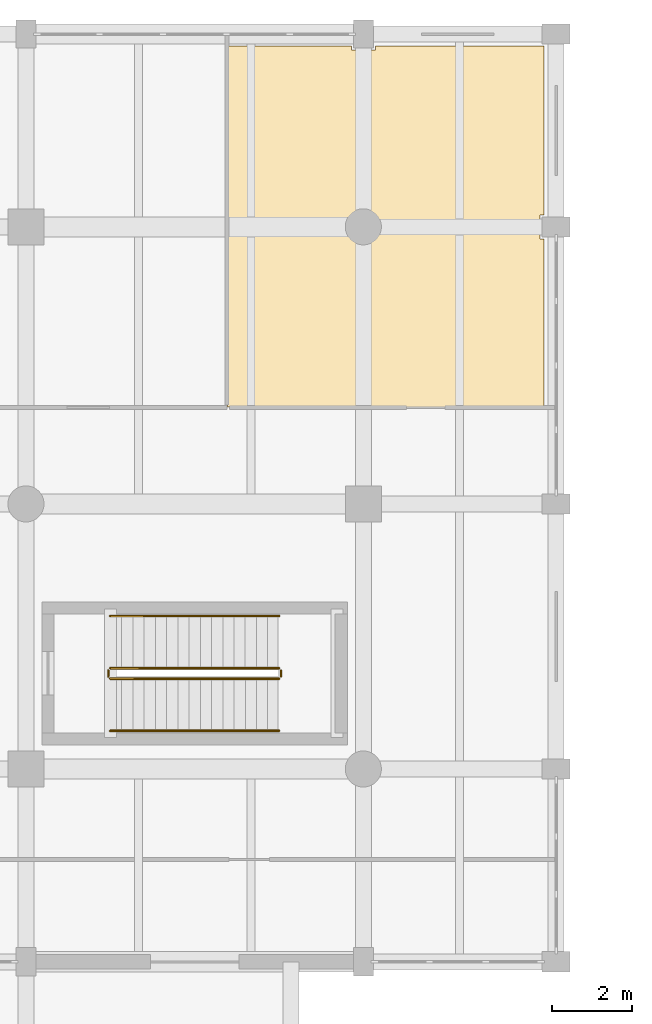
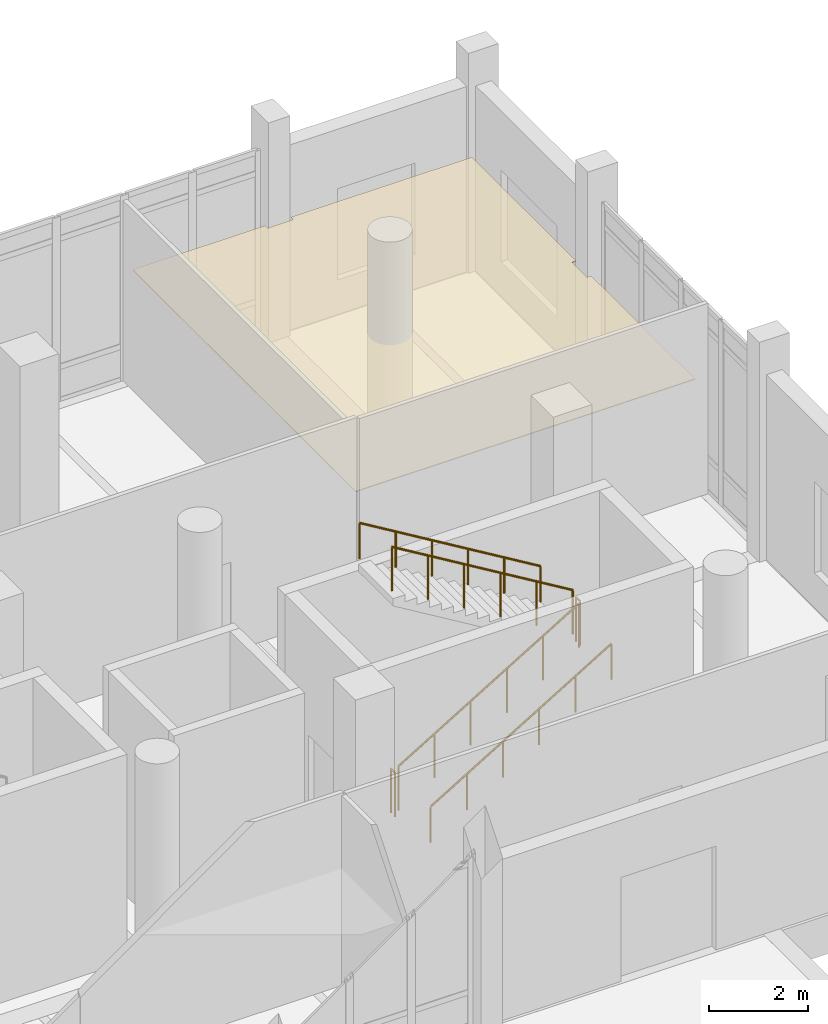
# One storey, part 66 of 72: 6 railings, 1 covering.
"""IFC4 building model written with IfcOpenShell, lengths in metres."""

import ifcopenshell
import ifcopenshell.guid

model = None  # the IFC model being written
_history = None  # IfcOwnerHistory: only IFC2X3 demands one
_inside = {}  # id of a spatial element -> (the spatial element, [elements in it])
_under = {}  # id of a project, library or spatial element -> (it, [spatial elements below it])
_declared = {}  # id of a project -> (the project, [libraries it declares])
_typed = {}  # id of a type object -> (the type object, [elements of that type])
_made_of = {}  # id of a material, layer set ... -> (it, [elements and type objects made of it])


def new_model(schema):
    """Start an empty IFC model of exactly this schema.

    Asked for "IFC4X3", IfcOpenShell would pick the latest addendum, in which some entities
    have other attributes; the version numbers below select the first issue.
    IFC2X3 requires an IfcOwnerHistory on every rooted entity: one is made here for all.
    """
    global model, _history
    if schema == "IFC4X3":
        model = ifcopenshell.file(schema_version=(4, 3, 0, 0))
    else:
        model = ifcopenshell.file(schema=schema)
    _inside.clear()
    _under.clear()
    _declared.clear()
    _typed.clear()
    _made_of.clear()
    _history = None
    if model.schema == "IFC2X3":
        org = make("IfcOrganization", Name="unknown")
        user = make(
            "IfcPersonAndOrganization",
            ThePerson=make("IfcPerson", FamilyName="unknown"),
            TheOrganization=org,
        )
        app = make(
            "IfcApplication",
            ApplicationDeveloper=org,
            Version="unknown",
            ApplicationFullName="unknown",
            ApplicationIdentifier="unknown",
        )
        _history = make(
            "IfcOwnerHistory",
            OwningUser=user,
            OwningApplication=app,
            ChangeAction="ADDED",
            CreationDate=0,
        )
    return model


def make(cls, **values):
    """One entity of the class cls with the attributes given. An attribute that is None is left unset."""
    return model.create_entity(
        cls, **{name: value for name, value in values.items() if value is not None}
    )


def rooted(cls, **values):
    """An entity with a GlobalId (a new one), such as an element, a storey or a relation."""
    return make(cls, GlobalId=ifcopenshell.guid.new(), OwnerHistory=_history, **values)


def si_unit(unit_type, name, prefix=None):
    """IfcSIUnit, for example si_unit("LENGTHUNIT", "METRE", prefix="MILLI")."""
    return make("IfcSIUnit", UnitType=unit_type, Prefix=prefix, Name=name)


def assignment(units):
    """IfcUnitAssignment: the units of a project."""
    return None if units is None else make("IfcUnitAssignment", Units=units)


def point(xyz):
    """IfcCartesianPoint."""
    return None if xyz is None else make("IfcCartesianPoint", Coordinates=xyz)


def direction(xyz):
    """IfcDirection."""
    return None if xyz is None else make("IfcDirection", DirectionRatios=xyz)


def frame(location, z_axis=None, x_axis=None):
    """IfcAxis2Placement3D, a coordinate frame: its origin and axes. An axis left out is left unset."""
    return make(
        "IfcAxis2Placement3D",
        Location=point(location),
        Axis=direction(z_axis),
        RefDirection=direction(x_axis),
    )


def frame_2d(location, x_axis=None):
    """IfcAxis2Placement2D, a coordinate frame in the plane: its origin and x axis."""
    return make(
        "IfcAxis2Placement2D", Location=point(location), RefDirection=direction(x_axis)
    )


def origin():
    """The frame at (0, 0, 0) with its axes left unset."""
    return frame((0.0, 0.0, 0.0))


def origin_2d():
    """The frame at (0, 0) in the plane with its x axis left unset."""
    return frame_2d((0.0, 0.0))


def place(relative_to, where):
    """IfcLocalPlacement: puts the frame where relative to a parent placement (None: the world)."""
    return make(
        "IfcLocalPlacement", PlacementRelTo=relative_to, RelativePlacement=where
    )


def context(
    kind, dimensions, precision=None, world=None, true_north=None, identifier=None
):
    """IfcGeometricRepresentationContext, for example the 3D "Model" context."""
    return make(
        "IfcGeometricRepresentationContext",
        ContextIdentifier=identifier,
        ContextType=kind,
        CoordinateSpaceDimension=dimensions,
        Precision=precision,
        WorldCoordinateSystem=world,
        TrueNorth=true_north,
    )


def subcontext(parent, identifier, kind, view, scale=None):
    """IfcGeometricRepresentationSubContext, for example "Body" below "Model"."""
    return make(
        "IfcGeometricRepresentationSubContext",
        ContextIdentifier=identifier,
        ContextType=kind,
        ParentContext=parent,
        TargetScale=scale,
        TargetView=view,
    )


def project(units=None, contexts=None):
    """IfcProject with its units and contexts."""
    return rooted(
        "IfcProject",
        Name="project",
        RepresentationContexts=contexts,
        UnitsInContext=assignment(units),
    )


def spatial(cls, under=None, at=None, **own):
    """A site, building, storey or space (cls), placed at a placement, below another one or the project."""
    s = rooted(cls, ObjectPlacement=at, **own)
    if under is not None:
        _under.setdefault(under.id(), (under, []))[1].append(s)
    return s


def polyline(points):
    """IfcPolyline through the points."""
    return make("IfcPolyline", Points=[point(p) for p in points])


def profile(cls, at=None, kind="AREA", **sizes):
    """A parametric profile (cls). Its sizes go by their IFC names, for example OverallWidth=200.0."""
    return make(cls, ProfileType=kind, Position=at, **sizes)


def circle(**sizes):
    """IfcCircleProfileDef."""
    return profile("IfcCircleProfileDef", **sizes)


def outline(outer, holes=None, kind="AREA"):
    """IfcArbitraryClosedProfileDef: a profile drawn as a closed curve; with holes, ...WithVoids."""
    if holes is None:
        return make("IfcArbitraryClosedProfileDef", ProfileType=kind, OuterCurve=outer)
    return make(
        "IfcArbitraryProfileDefWithVoids",
        ProfileType=kind,
        OuterCurve=outer,
        InnerCurves=holes,
    )


def extrude(swept, where, along, depth):
    """IfcExtrudedAreaSolid: the profile swept, set in the frame where, extruded along a direction by depth."""
    return make(
        "IfcExtrudedAreaSolid",
        SweptArea=swept,
        Position=where,
        ExtrudedDirection=direction(along),
        Depth=depth,
    )


def shape(context_of_items, identifier, shape_type, items):
    """IfcShapeRepresentation: the items that make up one representation, for example the "Body"."""
    return make(
        "IfcShapeRepresentation",
        ContextOfItems=context_of_items,
        RepresentationIdentifier=identifier,
        RepresentationType=shape_type,
        Items=items,
    )


def material(Name=None, Category=None):
    """IfcMaterial."""
    return make("IfcMaterial", Name=Name, Category=Category)


def layer(
    of_material, thickness, ventilated=None, Name=None, Category=None, Priority=None
):
    """IfcMaterialLayer: one layer of a wall or slab, of a material (None: an air gap)."""
    return make(
        "IfcMaterialLayer",
        Material=of_material,
        LayerThickness=thickness,
        IsVentilated=ventilated,
        Name=Name,
        Category=Category,
        Priority=Priority,
    )


def layer_set(layers, Name=None):
    """IfcMaterialLayerSet."""
    return make("IfcMaterialLayerSet", MaterialLayers=layers, LayerSetName=Name)


def made_of(thing, what):
    """Note that an element or type object is made of a material, layer set ...; save() writes the relation."""
    if what is not None:
        _made_of.setdefault(what.id(), (what, []))[1].append(thing)
    return thing


def type_object(cls, material=None, **own):
    """A type object (cls), such as IfcWallType, which elements share."""
    return made_of(rooted(cls, **own), material)


def element(
    cls,
    number,
    at=None,
    inside=None,
    cuts=None,
    type_object=None,
    material=None,
    context=None,
    identifier="Body",
    shape_type=None,
    held_by="IfcProductDefinitionShape",
    body=None,
    shapes=None,
    **own,
):
    """One element of the class cls, such as IfcWall. Its Tag is "e" and its number.

    at: its placement. inside: the storey or other place that contains it. cuts: it is an
    opening in that element (IfcRelVoidsElement). A single representation is given by context,
    identifier, shape_type and body (its items); several are given by shapes. held_by: the class
    of the entity that holds the representations. save() writes the other relations.
    """
    e = rooted(cls, Tag="e%d" % number, ObjectPlacement=at, **own)
    if body is not None:
        shapes = [shape(context, identifier, shape_type, body)]
    if shapes is not None:
        e.Representation = make(held_by, Representations=shapes)
    if inside is not None:
        _inside.setdefault(inside.id(), (inside, []))[1].append(e)
    if cuts is not None:
        rooted(
            "IfcRelVoidsElement", RelatingBuildingElement=cuts, RelatedOpeningElement=e
        )
    if type_object is not None:
        _typed.setdefault(type_object.id(), (type_object, []))[1].append(e)
    return made_of(e, material)


def aggregate(whole, parts):
    """IfcRelAggregates: a whole, such as a stair, and the parts it consists of."""
    return rooted("IfcRelAggregates", RelatingObject=whole, RelatedObjects=parts)


def save(model, path):
    """Write the relations noted so far, then the file.

    IfcRelAggregates (storeys below a building ...), IfcRelContainedInSpatialStructure (elements
    in a storey), IfcRelDefinesByType, IfcRelAssociatesMaterial and IfcRelDeclares: one each for
    every whole, place, type object, material and project.
    """
    for whole, parts in _under.values():
        aggregate(whole, parts)
    for where, things in _inside.values():
        rooted(
            "IfcRelContainedInSpatialStructure",
            RelatedElements=things,
            RelatingStructure=where,
        )
    for kind, things in _typed.values():
        rooted("IfcRelDefinesByType", RelatedObjects=things, RelatingType=kind)
    for what, things in _made_of.values():
        rooted("IfcRelAssociatesMaterial", RelatedObjects=things, RelatingMaterial=what)
    for by, libraries in _declared.values():
        rooted("IfcRelDeclares", RelatingContext=by, RelatedDefinitions=libraries)
    model.write(path)


model = new_model("IFC4")

# Units and contexts
model_context = context("Model", 3, precision=1e-05, world=origin(), true_north=direction((0.0, 1.0)))
body_context = subcontext(model_context, "Body", "Model", "MODEL_VIEW")
ifc_project = project(units=[si_unit("LENGTHUNIT", "METRE"), si_unit("AREAUNIT", "SQUARE_METRE"), si_unit("VOLUMEUNIT", "CUBIC_METRE"), si_unit("PLANEANGLEUNIT", "RADIAN"), si_unit("MASSUNIT", "GRAM", prefix="KILO")], contexts=[model_context])

# Site, building, storey
site_placement = place(None, origin())
site = spatial("IfcSite", under=ifc_project, at=site_placement, CompositionType="ELEMENT")
building_placement = place(site_placement, origin())
building = spatial("IfcBuilding", under=site, at=building_placement, Name="Dornvale Research Institute", CompositionType="ELEMENT")
storey_placement = place(building_placement, origin())
storey = spatial("IfcBuildingStorey", under=building, at=storey_placement, Name="L00", CompositionType="ELEMENT", Elevation=0.0)

# Covering
ifc_material_1 = material(Name="Mineral-Fibre Acoustic Lay-In Ceiling Tile System")
ifc_layer_1 = layer(ifc_material_1, 0.02001953125)
ifc_layer_set_1 = layer_set([ifc_layer_1], Name="Mineral-Fibre Acoustic Lay-In Ceiling Tile System")
covering_type = type_object("IfcCoveringType", Name="Covering_Acoustic_Ceiling", PredefinedType="CEILING", material=ifc_layer_set_1)
covering_placement = place(storey_placement, frame((0.0, 0.0, 2.85009765625)))
element("IfcCovering", 1, at=covering_placement, inside=storey, type_object=covering_type, Name="L00 Principal Investigator Office Suite L00 suspended ceiling", PredefinedType="CEILING", context=body_context, shape_type="SweptSolid", body=[
    extrude(outline(polyline([(45.800048828125, 117.0), (45.89990234375, 117.0), (45.89990234375, 112.820068359375), (38.02001953125, 112.820068359375), (38.02001953125, 121.800048828125), (41.10009765625, 121.800048828125), (41.10009765625, 121.699951171875), (41.699951171875, 121.699951171875), (41.699951171875, 121.800048828125), (45.800048828125, 121.800048828125), (45.89990234375, 121.800048828125), (45.89990234375, 117.60009765625), (45.800048828125, 117.60009765625), (45.800048828125, 117.0)])), origin(), (0.0, 0.0, 1.0), 0.02001953125),
])

# Railings
ifc_material_2 = material(Name="Galvanized Painted Tubular Steel Stair Rail", Category="steel")
ifc_layer_2 = layer(ifc_material_2, 0.050048828125)
ifc_layer_set_2 = layer_set([ifc_layer_2], Name="Galvanized Painted Tubular Steel Stair Rail")
railing_type_1 = type_object("IfcRailingType", Name="Railing_Stair_Guard_1100", PredefinedType="GUARDRAIL", material=ifc_layer_set_2)
railing_1_placement = place(storey_placement, frame((35.10009765625, 106.050048828125, 0.168701171875)))
element("IfcRailing", 2, at=railing_1_placement, inside=storey, type_object=railing_type_1, Name="L00 ST-2 stair guard 1", PredefinedType="GUARDRAIL", context=body_context, shape_type="SweptSolid", body=[
    extrude(circle(Radius=0.02392578125, at=origin_2d()), frame((0.0, 0.0, 1.076171875), z_axis=(0.856476492594, 0.0, 0.516186030065), x_axis=(0.0, 1.0, 0.0)), (0.0, 0.0, 1.0), 4.90380859375),
    extrude(circle(Radius=0.02099609375, at=origin_2d()), origin(), (0.0, 0.0, 1.0), 1.052001953125),
    extrude(circle(Radius=0.02099609375, at=origin_2d()), frame((0.840087890625, 0.0, 0.50634765625)), (0.0, 0.0, 1.0), 1.052001953125),
    extrude(circle(Radius=0.02099609375, at=origin_2d()), frame((1.679931640625, 0.0, 1.012451171875)), (0.0, 0.0, 1.0), 1.052001953125),
    extrude(circle(Radius=0.02099609375, at=origin_2d()), frame((2.52001953125, 0.0, 1.518798828125)), (0.0, 0.0, 1.0), 1.052001953125),
    extrude(circle(Radius=0.02099609375, at=origin_2d()), frame((3.35986328125, 0.0, 2.02490234375)), (0.0, 0.0, 1.0), 1.052001953125),
    extrude(circle(Radius=0.02099609375, at=origin_2d()), frame((4.199951171875, 0.0, 2.53125)), (0.0, 0.0, 1.0), 1.052001953125),
])
railing_2_placement = place(storey_placement, frame((39.35009765625, 106.10009765625, 2.699951171875)))
element("IfcRailing", 3, at=railing_2_placement, inside=storey, type_object=railing_type_1, Name="L00 ST-2 stair guard 2", PredefinedType="GUARDRAIL", context=body_context, shape_type="SweptSolid", body=[
    extrude(circle(Radius=0.02392578125, at=origin_2d()), frame((0.0, 0.0, 1.076171875), z_axis=(0.0, 1.0, 0.0), x_axis=(-1.0, 0.0, 0.0)), (0.0, 0.0, 1.0), 0.159912109375),
    extrude(circle(Radius=0.02099609375, at=origin_2d()), origin(), (0.0, 0.0, 1.0), 1.052001953125),
    extrude(circle(Radius=0.02099609375, at=origin_2d()), frame((0.0, 0.159912109375, 0.0)), (0.0, 0.0, 1.0), 1.052001953125),
])
railing_3_placement = place(storey_placement, frame((39.300048828125, 106.31005859375, 2.86865234375)))
element("IfcRailing", 4, at=railing_3_placement, inside=storey, type_object=railing_type_1, Name="L00 ST-2 stair guard 3", PredefinedType="GUARDRAIL", context=body_context, shape_type="SweptSolid", body=[
    extrude(circle(Radius=0.02392578125, at=origin_2d()), frame((0.0, 0.0, 1.076171875), z_axis=(-0.856476492594, 0.0, 0.516186030065), x_axis=(0.0, -1.0, 0.0)), (0.0, 0.0, 1.0), 4.90380859375),
    extrude(circle(Radius=0.02099609375, at=origin_2d()), origin(), (0.0, 0.0, 1.0), 1.052001953125),
    extrude(circle(Radius=0.02099609375, at=origin_2d()), frame((-0.840087890625, 0.0, 0.50634765625)), (0.0, 0.0, 1.0), 1.052001953125),
    extrude(circle(Radius=0.02099609375, at=origin_2d()), frame((-1.679931640625, 0.0, 1.012451171875)), (0.0, 0.0, 1.0), 1.052001953125),
    extrude(circle(Radius=0.02099609375, at=origin_2d()), frame((-2.52001953125, 0.0, 1.518798828125)), (0.0, 0.0, 1.0), 1.052001953125),
    extrude(circle(Radius=0.02099609375, at=origin_2d()), frame((-3.35986328125, 0.0, 2.02490234375)), (0.0, 0.0, 1.0), 1.052001953125),
    extrude(circle(Radius=0.02099609375, at=origin_2d()), frame((-4.199951171875, 0.0, 2.53125)), (0.0, 0.0, 1.0), 1.052001953125),
])
railing_4_placement = place(storey_placement, frame((35.050048828125, 106.10009765625, 0.0)))
element("IfcRailing", 5, at=railing_4_placement, inside=storey, type_object=railing_type_1, Name="L00 ST-2 stair guard 4", PredefinedType="GUARDRAIL", context=body_context, shape_type="SweptSolid", body=[
    extrude(circle(Radius=0.02392578125, at=origin_2d()), frame((0.0, 0.0, 1.076171875), z_axis=(0.0, 1.0, 0.0), x_axis=(-1.0, 0.0, 0.0)), (0.0, 0.0, 1.0), 0.159912109375),
    extrude(circle(Radius=0.02099609375, at=origin_2d()), origin(), (0.0, 0.0, 1.0), 1.052001953125),
    extrude(circle(Radius=0.02099609375, at=origin_2d()), frame((0.0, 0.159912109375, 0.0)), (0.0, 0.0, 1.0), 1.052001953125),
])
ifc_material_3 = material(Name="Galvanized Painted Tubular Steel Stair Rail", Category="steel")
ifc_layer_3 = layer(ifc_material_3, 0.044921875)
ifc_layer_set_3 = layer_set([ifc_layer_3], Name="Galvanized Painted Tubular Steel Stair Rail")
railing_type_2 = type_object("IfcRailingType", Name="Railing_Stair_Handrail_900", PredefinedType="HANDRAIL", material=ifc_layer_set_3)
railing_5_placement = place(storey_placement, frame((35.10009765625, 104.75, 0.168701171875)))
element("IfcRailing", 6, at=railing_5_placement, inside=storey, type_object=railing_type_2, Name="L00 ST-2 stair handrail 1", PredefinedType="HANDRAIL", context=body_context, shape_type="SweptSolid", body=[
    extrude(circle(Radius=0.02392578125, at=origin_2d()), frame((0.0, 0.0, 0.8759765625), z_axis=(0.856476492594, 0.0, 0.516186030065), x_axis=(0.0, 1.0, 0.0)), (0.0, 0.0, 1.0), 4.90380859375),
    extrude(circle(Radius=0.02099609375, at=origin_2d()), origin(), (0.0, 0.0, 1.0), 0.851806640625),
    extrude(circle(Radius=0.02099609375, at=origin_2d()), frame((0.840087890625, 0.0, 0.50634765625)), (0.0, 0.0, 1.0), 0.851806640625),
    extrude(circle(Radius=0.02099609375, at=origin_2d()), frame((1.679931640625, 0.0, 1.012451171875)), (0.0, 0.0, 1.0), 0.851806640625),
    extrude(circle(Radius=0.02099609375, at=origin_2d()), frame((2.52001953125, 0.0, 1.518798828125)), (0.0, 0.0, 1.0), 0.851806640625),
    extrude(circle(Radius=0.02099609375, at=origin_2d()), frame((3.35986328125, 0.0, 2.02490234375)), (0.0, 0.0, 1.0), 0.851806640625),
    extrude(circle(Radius=0.02099609375, at=origin_2d()), frame((4.199951171875, 0.0, 2.53125)), (0.0, 0.0, 1.0), 0.851806640625),
])
railing_6_placement = place(storey_placement, frame((39.300048828125, 107.610107421875, 2.86865234375)))
element("IfcRailing", 7, at=railing_6_placement, inside=storey, type_object=railing_type_2, Name="L00 ST-2 stair handrail 2", PredefinedType="HANDRAIL", context=body_context, shape_type="SweptSolid", body=[
    extrude(circle(Radius=0.02392578125, at=origin_2d()), frame((0.0, 0.0, 0.8759765625), z_axis=(-0.856476492594, 0.0, 0.516186030065), x_axis=(0.0, -1.0, 0.0)), (0.0, 0.0, 1.0), 4.90380859375),
    extrude(circle(Radius=0.02099609375, at=origin_2d()), origin(), (0.0, 0.0, 1.0), 0.851806640625),
    extrude(circle(Radius=0.02099609375, at=origin_2d()), frame((-0.840087890625, 0.0, 0.50634765625)), (0.0, 0.0, 1.0), 0.851806640625),
    extrude(circle(Radius=0.02099609375, at=origin_2d()), frame((-1.679931640625, 0.0, 1.012451171875)), (0.0, 0.0, 1.0), 0.851806640625),
    extrude(circle(Radius=0.02099609375, at=origin_2d()), frame((-2.52001953125, 0.0, 1.518798828125)), (0.0, 0.0, 1.0), 0.851806640625),
    extrude(circle(Radius=0.02099609375, at=origin_2d()), frame((-3.35986328125, 0.0, 2.02490234375)), (0.0, 0.0, 1.0), 0.851806640625),
    extrude(circle(Radius=0.02099609375, at=origin_2d()), frame((-4.199951171875, 0.0, 2.53125)), (0.0, 0.0, 1.0), 0.851806640625),
])

save(model, "model.ifc")
